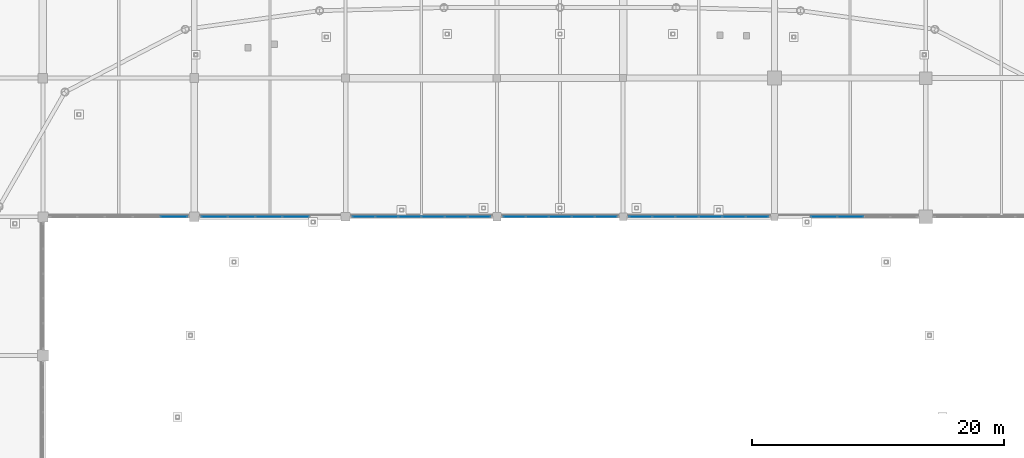
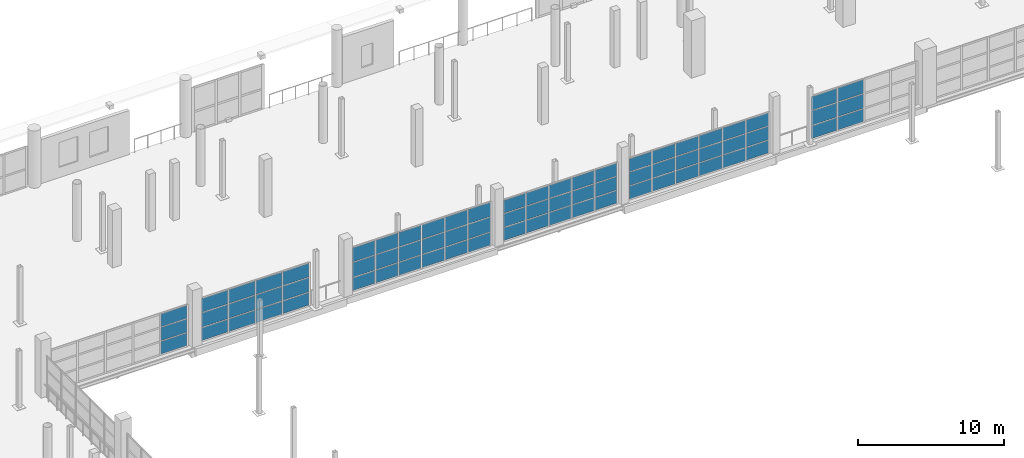
# One storey, part 79 of 143: 72 plates, 6 elements without a shape of their own.
"""IFC4 building model written with IfcOpenShell, lengths in metres."""

from ifc_helpers import new_model, si_unit, direction, frame, origin, origin_2d, place, context, subcontext, project, spatial, rectangle, extrude, material, layer, layer_set, type_object, element, aggregate, save


model = new_model("IFC4")

# Units and contexts
model_context = context("Model", 3, precision=1e-05, world=origin(), true_north=direction((0.0, 1.0)))
body_context = subcontext(model_context, "Body", "Model", "MODEL_VIEW")
ifc_project = project(units=[si_unit("LENGTHUNIT", "METRE"), si_unit("AREAUNIT", "SQUARE_METRE"), si_unit("VOLUMEUNIT", "CUBIC_METRE"), si_unit("PLANEANGLEUNIT", "RADIAN"), si_unit("MASSUNIT", "GRAM", prefix="KILO")], contexts=[model_context])

# Site, building, storey
site_placement = place(None, origin())
site = spatial("IfcSite", under=ifc_project, at=site_placement, CompositionType="ELEMENT")
building_placement = place(site_placement, origin())
building = spatial("IfcBuilding", under=site, at=building_placement, Name="Luwafu Chhajja Arena", CompositionType="ELEMENT")
storey_placement = place(building_placement, frame((0.0, 0.0, 5.39990234375)))
storey = spatial("IfcBuildingStorey", under=building, at=storey_placement, Name="L01", CompositionType="ELEMENT", Elevation=5.39990234375)

# Curtain wall, plates
ifc_material_1 = material(Name="Anodised bronze aluminium", Category="aluminium")
curtain_wall_type = type_object("IfcCurtainWallType", Name="Bowl Concourse Chord Curtain Wall", PredefinedType="USERDEFINED", material=ifc_material_1)
curtain_wall_1_placement = place(storey_placement, origin())
curtain_wall_1 = element("IfcCurtainWall", 1, at=curtain_wall_1_placement, inside=storey, type_object=curtain_wall_type, Name="L01 Bowl Viewing Curtain Wall CWR-L01-08", ObjectType="CURTAIN WALL", PredefinedType="USERDEFINED")
ifc_material_2 = material(Name="Solar-control laminated glass", Category="glass")
ifc_layer = layer(ifc_material_2, 0.028076171875, Name="Solar-control laminated glass")
ifc_layer_set = layer_set([ifc_layer], Name="Solar-control laminated glass")
plate_type = type_object("IfcPlateType", Name="Solar Control Double Glazed CW Panel 28", PredefinedType="CURTAIN_PANEL", material=ifc_layer_set)
plate_1_placement = place(storey_placement, frame((68.37548828125, 77.0, 0.06005859375), z_axis=(0.0, 0.0, 1.0), x_axis=(1.0, 0.0, 0.0)))
plate_1 = element("IfcPlate", 2, at=plate_1_placement, type_object=plate_type, Name="CW-01 panel 5.1", PredefinedType="CURTAIN_PANEL", context=body_context, shape_type="SweptSolid", body=[
    extrude(rectangle(XDim=2.09912109375, YDim=0.028076171875, at=origin_2d()), origin(), (0.0, 0.0, 1.0), 1.06005859375),
])
plate_2_placement = place(storey_placement, frame((68.37548828125, 77.0, 1.18017578125), z_axis=(0.0, 0.0, 1.0), x_axis=(1.0, 0.0, 0.0)))
plate_2 = element("IfcPlate", 3, at=plate_2_placement, type_object=plate_type, Name="CW-01 panel 5.2", PredefinedType="CURTAIN_PANEL", context=body_context, shape_type="SweptSolid", body=[
    extrude(rectangle(XDim=2.09912109375, YDim=0.028076171875, at=origin_2d()), origin(), (0.0, 0.0, 1.0), 1.110107421875),
])
plate_3_placement = place(storey_placement, frame((68.37548828125, 77.0, 2.35009765625), z_axis=(0.0, 0.0, 1.0), x_axis=(1.0, 0.0, 0.0)))
plate_3 = element("IfcPlate", 4, at=plate_3_placement, type_object=plate_type, Name="CW-01 panel 5.3", PredefinedType="CURTAIN_PANEL", context=body_context, shape_type="SweptSolid", body=[
    extrude(rectangle(XDim=2.09912109375, YDim=0.028076171875, at=origin_2d()), origin(), (0.0, 0.0, 1.0), 1.080078125),
])
aggregate(curtain_wall_1, [plate_1, plate_2, plate_3])

curtain_wall_2_placement = place(storey_placement, origin())
curtain_wall_2 = element("IfcCurtainWall", 5, at=curtain_wall_2_placement, inside=storey, type_object=curtain_wall_type, Name="L01 Bowl Viewing Curtain Wall CWR-L01-09", ObjectType="CURTAIN WALL", PredefinedType="USERDEFINED")
plate_4_placement = place(storey_placement, frame((71.607421875, 77.0, 0.06005859375), z_axis=(0.0, 0.0, 1.0), x_axis=(1.0, 0.0, 0.0)))
plate_4 = element("IfcPlate", 6, at=plate_4_placement, type_object=plate_type, Name="CW-01 panel 1.1", PredefinedType="CURTAIN_PANEL", context=body_context, shape_type="SweptSolid", body=[
    extrude(rectangle(XDim=2.064697265625, YDim=0.028076171875, at=origin_2d()), origin(), (0.0, 0.0, 1.0), 1.06005859375),
])
plate_5_placement = place(storey_placement, frame((71.607421875, 77.0, 1.18017578125), z_axis=(0.0, 0.0, 1.0), x_axis=(1.0, 0.0, 0.0)))
plate_5 = element("IfcPlate", 7, at=plate_5_placement, type_object=plate_type, Name="CW-01 panel 1.2", PredefinedType="CURTAIN_PANEL", context=body_context, shape_type="SweptSolid", body=[
    extrude(rectangle(XDim=2.064697265625, YDim=0.028076171875, at=origin_2d()), origin(), (0.0, 0.0, 1.0), 1.18505859375),
])
plate_6_placement = place(storey_placement, frame((71.607421875, 77.0, 2.42529296875), z_axis=(0.0, 0.0, 1.0), x_axis=(1.0, 0.0, 0.0)))
plate_6 = element("IfcPlate", 8, at=plate_6_placement, type_object=plate_type, Name="CW-01 panel 1.3", PredefinedType="CURTAIN_PANEL", context=body_context, shape_type="SweptSolid", body=[
    extrude(rectangle(XDim=2.064697265625, YDim=0.028076171875, at=origin_2d()), origin(), (0.0, 0.0, 1.0), 1.155029296875),
])
plate_7_placement = place(storey_placement, frame((73.746826171875, 77.0, 0.06005859375), z_axis=(0.0, 0.0, 1.0), x_axis=(1.0, 0.0, 0.0)))
plate_7 = element("IfcPlate", 9, at=plate_7_placement, type_object=plate_type, Name="CW-01 panel 2.1", PredefinedType="CURTAIN_PANEL", context=body_context, shape_type="SweptSolid", body=[
    extrude(rectangle(XDim=2.094482421875, YDim=0.028076171875, at=origin_2d()), origin(), (0.0, 0.0, 1.0), 1.06005859375),
])
plate_8_placement = place(storey_placement, frame((73.746826171875, 77.0, 1.18017578125), z_axis=(0.0, 0.0, 1.0), x_axis=(1.0, 0.0, 0.0)))
plate_8 = element("IfcPlate", 10, at=plate_8_placement, type_object=plate_type, Name="CW-01 panel 2.2", PredefinedType="CURTAIN_PANEL", context=body_context, shape_type="SweptSolid", body=[
    extrude(rectangle(XDim=2.094482421875, YDim=0.028076171875, at=origin_2d()), origin(), (0.0, 0.0, 1.0), 1.18505859375),
])
plate_9_placement = place(storey_placement, frame((73.746826171875, 77.0, 2.42529296875), z_axis=(0.0, 0.0, 1.0), x_axis=(1.0, 0.0, 0.0)))
plate_9 = element("IfcPlate", 11, at=plate_9_placement, type_object=plate_type, Name="CW-01 panel 2.3", PredefinedType="CURTAIN_PANEL", context=body_context, shape_type="SweptSolid", body=[
    extrude(rectangle(XDim=2.094482421875, YDim=0.028076171875, at=origin_2d()), origin(), (0.0, 0.0, 1.0), 1.155029296875),
])
plate_10_placement = place(storey_placement, frame((75.901611328125, 77.0, 0.06005859375), z_axis=(0.0, 0.0, 1.0), x_axis=(1.0, 0.0, 0.0)))
plate_10 = element("IfcPlate", 12, at=plate_10_placement, type_object=plate_type, Name="CW-01 panel 3.1", PredefinedType="CURTAIN_PANEL", context=body_context, shape_type="SweptSolid", body=[
    extrude(rectangle(XDim=2.094482421875, YDim=0.028076171875, at=origin_2d()), origin(), (0.0, 0.0, 1.0), 1.06005859375),
])
plate_11_placement = place(storey_placement, frame((75.901611328125, 77.0, 1.18017578125), z_axis=(0.0, 0.0, 1.0), x_axis=(1.0, 0.0, 0.0)))
plate_11 = element("IfcPlate", 13, at=plate_11_placement, type_object=plate_type, Name="CW-01 panel 3.2", PredefinedType="CURTAIN_PANEL", context=body_context, shape_type="SweptSolid", body=[
    extrude(rectangle(XDim=2.094482421875, YDim=0.028076171875, at=origin_2d()), origin(), (0.0, 0.0, 1.0), 1.18505859375),
])
plate_12_placement = place(storey_placement, frame((75.901611328125, 77.0, 2.42529296875), z_axis=(0.0, 0.0, 1.0), x_axis=(1.0, 0.0, 0.0)))
plate_12 = element("IfcPlate", 14, at=plate_12_placement, type_object=plate_type, Name="CW-01 panel 3.3", PredefinedType="CURTAIN_PANEL", context=body_context, shape_type="SweptSolid", body=[
    extrude(rectangle(XDim=2.094482421875, YDim=0.028076171875, at=origin_2d()), origin(), (0.0, 0.0, 1.0), 1.155029296875),
])
plate_13_placement = place(storey_placement, frame((78.041015625, 77.0, 0.06005859375), z_axis=(0.0, 0.0, 1.0), x_axis=(1.0, 0.0, 0.0)))
plate_13 = element("IfcPlate", 15, at=plate_13_placement, type_object=plate_type, Name="CW-01 panel 4.1", PredefinedType="CURTAIN_PANEL", context=body_context, shape_type="SweptSolid", body=[
    extrude(rectangle(XDim=2.064697265625, YDim=0.028076171875, at=origin_2d()), origin(), (0.0, 0.0, 1.0), 1.06005859375),
])
plate_14_placement = place(storey_placement, frame((78.041015625, 77.0, 1.18017578125), z_axis=(0.0, 0.0, 1.0), x_axis=(1.0, 0.0, 0.0)))
plate_14 = element("IfcPlate", 16, at=plate_14_placement, type_object=plate_type, Name="CW-01 panel 4.2", PredefinedType="CURTAIN_PANEL", context=body_context, shape_type="SweptSolid", body=[
    extrude(rectangle(XDim=2.064697265625, YDim=0.028076171875, at=origin_2d()), origin(), (0.0, 0.0, 1.0), 1.18505859375),
])
plate_15_placement = place(storey_placement, frame((78.041015625, 77.0, 2.42529296875), z_axis=(0.0, 0.0, 1.0), x_axis=(1.0, 0.0, 0.0)))
plate_15 = element("IfcPlate", 17, at=plate_15_placement, type_object=plate_type, Name="CW-01 panel 4.3", PredefinedType="CURTAIN_PANEL", context=body_context, shape_type="SweptSolid", body=[
    extrude(rectangle(XDim=2.064697265625, YDim=0.028076171875, at=origin_2d()), origin(), (0.0, 0.0, 1.0), 1.155029296875),
])
aggregate(curtain_wall_2, [plate_4, plate_5, plate_6, plate_7, plate_8, plate_9, plate_10, plate_11, plate_12, plate_13, plate_14, plate_15])

curtain_wall_3_placement = place(storey_placement, origin())
curtain_wall_3 = element("IfcCurtainWall", 18, at=curtain_wall_3_placement, inside=storey, type_object=curtain_wall_type, Name="L01 Bowl Viewing Curtain Wall CWR-L01-10", ObjectType="CURTAIN WALL", PredefinedType="USERDEFINED")
plate_16_placement = place(storey_placement, frame((83.425537109375, 77.0, 0.06005859375), z_axis=(0.0, 0.0, 1.0), x_axis=(1.0, 0.0, 0.0)))
plate_16 = element("IfcPlate", 19, at=plate_16_placement, type_object=plate_type, Name="CW-01 panel 1.1", PredefinedType="CURTAIN_PANEL", context=body_context, shape_type="SweptSolid", body=[
    extrude(rectangle(XDim=1.750732421875, YDim=0.028076171875, at=origin_2d()), origin(), (0.0, 0.0, 1.0), 1.06005859375),
])
plate_17_placement = place(storey_placement, frame((83.425537109375, 77.0, 1.18017578125), z_axis=(0.0, 0.0, 1.0), x_axis=(1.0, 0.0, 0.0)))
plate_17 = element("IfcPlate", 20, at=plate_17_placement, type_object=plate_type, Name="CW-01 panel 1.2", PredefinedType="CURTAIN_PANEL", context=body_context, shape_type="SweptSolid", body=[
    extrude(rectangle(XDim=1.750732421875, YDim=0.028076171875, at=origin_2d()), origin(), (0.0, 0.0, 1.0), 1.21826171875),
])
plate_18_placement = place(storey_placement, frame((83.425537109375, 77.0, 2.45849609375), z_axis=(0.0, 0.0, 1.0), x_axis=(1.0, 0.0, 0.0)))
plate_18 = element("IfcPlate", 21, at=plate_18_placement, type_object=plate_type, Name="CW-01 panel 1.3", PredefinedType="CURTAIN_PANEL", context=body_context, shape_type="SweptSolid", body=[
    extrude(rectangle(XDim=1.750732421875, YDim=0.028076171875, at=origin_2d()), origin(), (0.0, 0.0, 1.0), 1.188232421875),
])
plate_19_placement = place(storey_placement, frame((85.251220703125, 77.0, 0.06005859375), z_axis=(0.0, 0.0, 1.0), x_axis=(1.0, 0.0, 0.0)))
plate_19 = element("IfcPlate", 22, at=plate_19_placement, type_object=plate_type, Name="CW-01 panel 2.1", PredefinedType="CURTAIN_PANEL", context=body_context, shape_type="SweptSolid", body=[
    extrude(rectangle(XDim=1.78076171875, YDim=0.028076171875, at=origin_2d()), origin(), (0.0, 0.0, 1.0), 1.06005859375),
])
plate_20_placement = place(storey_placement, frame((85.251220703125, 77.0, 1.18017578125), z_axis=(0.0, 0.0, 1.0), x_axis=(1.0, 0.0, 0.0)))
plate_20 = element("IfcPlate", 23, at=plate_20_placement, type_object=plate_type, Name="CW-01 panel 2.2", PredefinedType="CURTAIN_PANEL", context=body_context, shape_type="SweptSolid", body=[
    extrude(rectangle(XDim=1.78076171875, YDim=0.028076171875, at=origin_2d()), origin(), (0.0, 0.0, 1.0), 1.21826171875),
])
plate_21_placement = place(storey_placement, frame((85.251220703125, 77.0, 2.45849609375), z_axis=(0.0, 0.0, 1.0), x_axis=(1.0, 0.0, 0.0)))
plate_21 = element("IfcPlate", 24, at=plate_21_placement, type_object=plate_type, Name="CW-01 panel 2.3", PredefinedType="CURTAIN_PANEL", context=body_context, shape_type="SweptSolid", body=[
    extrude(rectangle(XDim=1.78076171875, YDim=0.028076171875, at=origin_2d()), origin(), (0.0, 0.0, 1.0), 1.188232421875),
])
plate_22_placement = place(storey_placement, frame((87.092041015625, 77.0, 0.06005859375), z_axis=(0.0, 0.0, 1.0), x_axis=(1.0, 0.0, 0.0)))
plate_22 = element("IfcPlate", 25, at=plate_22_placement, type_object=plate_type, Name="CW-01 panel 3.1", PredefinedType="CURTAIN_PANEL", context=body_context, shape_type="SweptSolid", body=[
    extrude(rectangle(XDim=1.78076171875, YDim=0.028076171875, at=origin_2d()), origin(), (0.0, 0.0, 1.0), 1.06005859375),
])
plate_23_placement = place(storey_placement, frame((87.092041015625, 77.0, 1.18017578125), z_axis=(0.0, 0.0, 1.0), x_axis=(1.0, 0.0, 0.0)))
plate_23 = element("IfcPlate", 26, at=plate_23_placement, type_object=plate_type, Name="CW-01 panel 3.2", PredefinedType="CURTAIN_PANEL", context=body_context, shape_type="SweptSolid", body=[
    extrude(rectangle(XDim=1.78076171875, YDim=0.028076171875, at=origin_2d()), origin(), (0.0, 0.0, 1.0), 1.21826171875),
])
plate_24_placement = place(storey_placement, frame((87.092041015625, 77.0, 2.45849609375), z_axis=(0.0, 0.0, 1.0), x_axis=(1.0, 0.0, 0.0)))
plate_24 = element("IfcPlate", 27, at=plate_24_placement, type_object=plate_type, Name="CW-01 panel 3.3", PredefinedType="CURTAIN_PANEL", context=body_context, shape_type="SweptSolid", body=[
    extrude(rectangle(XDim=1.78076171875, YDim=0.028076171875, at=origin_2d()), origin(), (0.0, 0.0, 1.0), 1.188232421875),
])
plate_25_placement = place(storey_placement, frame((88.932861328125, 77.0, 0.06005859375), z_axis=(0.0, 0.0, 1.0), x_axis=(1.0, 0.0, 0.0)))
plate_25 = element("IfcPlate", 28, at=plate_25_placement, type_object=plate_type, Name="CW-01 panel 4.1", PredefinedType="CURTAIN_PANEL", context=body_context, shape_type="SweptSolid", body=[
    extrude(rectangle(XDim=1.78076171875, YDim=0.028076171875, at=origin_2d()), origin(), (0.0, 0.0, 1.0), 1.06005859375),
])
plate_26_placement = place(storey_placement, frame((88.932861328125, 77.0, 1.18017578125), z_axis=(0.0, 0.0, 1.0), x_axis=(1.0, 0.0, 0.0)))
plate_26 = element("IfcPlate", 29, at=plate_26_placement, type_object=plate_type, Name="CW-01 panel 4.2", PredefinedType="CURTAIN_PANEL", context=body_context, shape_type="SweptSolid", body=[
    extrude(rectangle(XDim=1.78076171875, YDim=0.028076171875, at=origin_2d()), origin(), (0.0, 0.0, 1.0), 1.21826171875),
])
plate_27_placement = place(storey_placement, frame((88.932861328125, 77.0, 2.45849609375), z_axis=(0.0, 0.0, 1.0), x_axis=(1.0, 0.0, 0.0)))
plate_27 = element("IfcPlate", 30, at=plate_27_placement, type_object=plate_type, Name="CW-01 panel 4.3", PredefinedType="CURTAIN_PANEL", context=body_context, shape_type="SweptSolid", body=[
    extrude(rectangle(XDim=1.78076171875, YDim=0.028076171875, at=origin_2d()), origin(), (0.0, 0.0, 1.0), 1.188232421875),
])
plate_28_placement = place(storey_placement, frame((90.773681640625, 77.0, 0.06005859375), z_axis=(0.0, 0.0, 1.0), x_axis=(1.0, 0.0, 0.0)))
plate_28 = element("IfcPlate", 31, at=plate_28_placement, type_object=plate_type, Name="CW-01 panel 5.1", PredefinedType="CURTAIN_PANEL", context=body_context, shape_type="SweptSolid", body=[
    extrude(rectangle(XDim=1.78076171875, YDim=0.028076171875, at=origin_2d()), origin(), (0.0, 0.0, 1.0), 1.06005859375),
])
plate_29_placement = place(storey_placement, frame((90.773681640625, 77.0, 1.18017578125), z_axis=(0.0, 0.0, 1.0), x_axis=(1.0, 0.0, 0.0)))
plate_29 = element("IfcPlate", 32, at=plate_29_placement, type_object=plate_type, Name="CW-01 panel 5.2", PredefinedType="CURTAIN_PANEL", context=body_context, shape_type="SweptSolid", body=[
    extrude(rectangle(XDim=1.78076171875, YDim=0.028076171875, at=origin_2d()), origin(), (0.0, 0.0, 1.0), 1.21826171875),
])
plate_30_placement = place(storey_placement, frame((90.773681640625, 77.0, 2.45849609375), z_axis=(0.0, 0.0, 1.0), x_axis=(1.0, 0.0, 0.0)))
plate_30 = element("IfcPlate", 33, at=plate_30_placement, type_object=plate_type, Name="CW-01 panel 5.3", PredefinedType="CURTAIN_PANEL", context=body_context, shape_type="SweptSolid", body=[
    extrude(rectangle(XDim=1.78076171875, YDim=0.028076171875, at=origin_2d()), origin(), (0.0, 0.0, 1.0), 1.188232421875),
])
plate_31_placement = place(storey_placement, frame((92.599609375, 77.0, 0.06005859375), z_axis=(0.0, 0.0, 1.0), x_axis=(1.0, 0.0, 0.0)))
plate_31 = element("IfcPlate", 34, at=plate_31_placement, type_object=plate_type, Name="CW-01 panel 6.1", PredefinedType="CURTAIN_PANEL", context=body_context, shape_type="SweptSolid", body=[
    extrude(rectangle(XDim=1.750732421875, YDim=0.028076171875, at=origin_2d()), origin(), (0.0, 0.0, 1.0), 1.06005859375),
])
plate_32_placement = place(storey_placement, frame((92.599609375, 77.0, 1.18017578125), z_axis=(0.0, 0.0, 1.0), x_axis=(1.0, 0.0, 0.0)))
plate_32 = element("IfcPlate", 35, at=plate_32_placement, type_object=plate_type, Name="CW-01 panel 6.2", PredefinedType="CURTAIN_PANEL", context=body_context, shape_type="SweptSolid", body=[
    extrude(rectangle(XDim=1.750732421875, YDim=0.028076171875, at=origin_2d()), origin(), (0.0, 0.0, 1.0), 1.21826171875),
])
plate_33_placement = place(storey_placement, frame((92.599609375, 77.0, 2.45849609375), z_axis=(0.0, 0.0, 1.0), x_axis=(1.0, 0.0, 0.0)))
plate_33 = element("IfcPlate", 36, at=plate_33_placement, type_object=plate_type, Name="CW-01 panel 6.3", PredefinedType="CURTAIN_PANEL", context=body_context, shape_type="SweptSolid", body=[
    extrude(rectangle(XDim=1.750732421875, YDim=0.028076171875, at=origin_2d()), origin(), (0.0, 0.0, 1.0), 1.188232421875),
])
aggregate(curtain_wall_3, [plate_16, plate_17, plate_18, plate_19, plate_20, plate_21, plate_22, plate_23, plate_24, plate_25, plate_26, plate_27, plate_28, plate_29, plate_30, plate_31, plate_32, plate_33])

curtain_wall_4_placement = place(storey_placement, origin())
curtain_wall_4 = element("IfcCurtainWall", 37, at=curtain_wall_4_placement, inside=storey, type_object=curtain_wall_type, Name="L01 Bowl Viewing Curtain Wall CWR-L01-11", ObjectType="CURTAIN WALL", PredefinedType="USERDEFINED")
plate_34_placement = place(storey_placement, frame((95.389404296875, 77.0, 0.06005859375), z_axis=(0.0, 0.0, 1.0), x_axis=(1.0, 0.0, 0.0)))
plate_34 = element("IfcPlate", 38, at=plate_34_placement, type_object=plate_type, Name="CW-01 panel 1.1", PredefinedType="CURTAIN_PANEL", context=body_context, shape_type="SweptSolid", body=[
    extrude(rectangle(XDim=1.72900390625, YDim=0.028076171875, at=origin_2d()), origin(), (0.0, 0.0, 1.0), 1.06005859375),
])
plate_35_placement = place(storey_placement, frame((95.389404296875, 77.0, 1.18017578125), z_axis=(0.0, 0.0, 1.0), x_axis=(1.0, 0.0, 0.0)))
plate_35 = element("IfcPlate", 39, at=plate_35_placement, type_object=plate_type, Name="CW-01 panel 1.2", PredefinedType="CURTAIN_PANEL", context=body_context, shape_type="SweptSolid", body=[
    extrude(rectangle(XDim=1.72900390625, YDim=0.028076171875, at=origin_2d()), origin(), (0.0, 0.0, 1.0), 1.110107421875),
])
plate_36_placement = place(storey_placement, frame((95.389404296875, 77.0, 2.35009765625), z_axis=(0.0, 0.0, 1.0), x_axis=(1.0, 0.0, 0.0)))
plate_36 = element("IfcPlate", 40, at=plate_36_placement, type_object=plate_type, Name="CW-01 panel 1.3", PredefinedType="CURTAIN_PANEL", context=body_context, shape_type="SweptSolid", body=[
    extrude(rectangle(XDim=1.72900390625, YDim=0.028076171875, at=origin_2d()), origin(), (0.0, 0.0, 1.0), 1.080078125),
])
plate_37_placement = place(storey_placement, frame((97.193603515625, 77.0, 0.06005859375), z_axis=(0.0, 0.0, 1.0), x_axis=(1.0, 0.0, 0.0)))
plate_37 = element("IfcPlate", 41, at=plate_37_placement, type_object=plate_type, Name="CW-01 panel 2.1", PredefinedType="CURTAIN_PANEL", context=body_context, shape_type="SweptSolid", body=[
    extrude(rectangle(XDim=1.759033203125, YDim=0.028076171875, at=origin_2d()), origin(), (0.0, 0.0, 1.0), 1.06005859375),
])
plate_38_placement = place(storey_placement, frame((97.193603515625, 77.0, 1.18017578125), z_axis=(0.0, 0.0, 1.0), x_axis=(1.0, 0.0, 0.0)))
plate_38 = element("IfcPlate", 42, at=plate_38_placement, type_object=plate_type, Name="CW-01 panel 2.2", PredefinedType="CURTAIN_PANEL", context=body_context, shape_type="SweptSolid", body=[
    extrude(rectangle(XDim=1.759033203125, YDim=0.028076171875, at=origin_2d()), origin(), (0.0, 0.0, 1.0), 1.110107421875),
])
plate_39_placement = place(storey_placement, frame((97.193603515625, 77.0, 2.35009765625), z_axis=(0.0, 0.0, 1.0), x_axis=(1.0, 0.0, 0.0)))
plate_39 = element("IfcPlate", 43, at=plate_39_placement, type_object=plate_type, Name="CW-01 panel 2.3", PredefinedType="CURTAIN_PANEL", context=body_context, shape_type="SweptSolid", body=[
    extrude(rectangle(XDim=1.759033203125, YDim=0.028076171875, at=origin_2d()), origin(), (0.0, 0.0, 1.0), 1.080078125),
])
plate_40_placement = place(storey_placement, frame((99.012451171875, 77.0, 0.06005859375), z_axis=(0.0, 0.0, 1.0), x_axis=(1.0, 0.0, 0.0)))
plate_40 = element("IfcPlate", 44, at=plate_40_placement, type_object=plate_type, Name="CW-01 panel 3.1", PredefinedType="CURTAIN_PANEL", context=body_context, shape_type="SweptSolid", body=[
    extrude(rectangle(XDim=1.759033203125, YDim=0.028076171875, at=origin_2d()), origin(), (0.0, 0.0, 1.0), 1.06005859375),
])
plate_41_placement = place(storey_placement, frame((99.012451171875, 77.0, 1.18017578125), z_axis=(0.0, 0.0, 1.0), x_axis=(1.0, 0.0, 0.0)))
plate_41 = element("IfcPlate", 45, at=plate_41_placement, type_object=plate_type, Name="CW-01 panel 3.2", PredefinedType="CURTAIN_PANEL", context=body_context, shape_type="SweptSolid", body=[
    extrude(rectangle(XDim=1.759033203125, YDim=0.028076171875, at=origin_2d()), origin(), (0.0, 0.0, 1.0), 1.110107421875),
])
plate_42_placement = place(storey_placement, frame((99.012451171875, 77.0, 2.35009765625), z_axis=(0.0, 0.0, 1.0), x_axis=(1.0, 0.0, 0.0)))
plate_42 = element("IfcPlate", 46, at=plate_42_placement, type_object=plate_type, Name="CW-01 panel 3.3", PredefinedType="CURTAIN_PANEL", context=body_context, shape_type="SweptSolid", body=[
    extrude(rectangle(XDim=1.759033203125, YDim=0.028076171875, at=origin_2d()), origin(), (0.0, 0.0, 1.0), 1.080078125),
])
plate_43_placement = place(storey_placement, frame((100.83154296875, 77.0, 0.06005859375), z_axis=(0.0, 0.0, 1.0), x_axis=(1.0, 0.0, 0.0)))
plate_43 = element("IfcPlate", 47, at=plate_43_placement, type_object=plate_type, Name="CW-01 panel 4.1", PredefinedType="CURTAIN_PANEL", context=body_context, shape_type="SweptSolid", body=[
    extrude(rectangle(XDim=1.759033203125, YDim=0.028076171875, at=origin_2d()), origin(), (0.0, 0.0, 1.0), 1.06005859375),
])
plate_44_placement = place(storey_placement, frame((100.83154296875, 77.0, 1.18017578125), z_axis=(0.0, 0.0, 1.0), x_axis=(1.0, 0.0, 0.0)))
plate_44 = element("IfcPlate", 48, at=plate_44_placement, type_object=plate_type, Name="CW-01 panel 4.2", PredefinedType="CURTAIN_PANEL", context=body_context, shape_type="SweptSolid", body=[
    extrude(rectangle(XDim=1.759033203125, YDim=0.028076171875, at=origin_2d()), origin(), (0.0, 0.0, 1.0), 1.110107421875),
])
plate_45_placement = place(storey_placement, frame((100.83154296875, 77.0, 2.35009765625), z_axis=(0.0, 0.0, 1.0), x_axis=(1.0, 0.0, 0.0)))
plate_45 = element("IfcPlate", 49, at=plate_45_placement, type_object=plate_type, Name="CW-01 panel 4.3", PredefinedType="CURTAIN_PANEL", context=body_context, shape_type="SweptSolid", body=[
    extrude(rectangle(XDim=1.759033203125, YDim=0.028076171875, at=origin_2d()), origin(), (0.0, 0.0, 1.0), 1.080078125),
])
plate_46_placement = place(storey_placement, frame((102.635498046875, 77.0, 0.06005859375), z_axis=(0.0, 0.0, 1.0), x_axis=(1.0, 0.0, 0.0)))
plate_46 = element("IfcPlate", 50, at=plate_46_placement, type_object=plate_type, Name="CW-01 panel 5.1", PredefinedType="CURTAIN_PANEL", context=body_context, shape_type="SweptSolid", body=[
    extrude(rectangle(XDim=1.72900390625, YDim=0.028076171875, at=origin_2d()), origin(), (0.0, 0.0, 1.0), 1.06005859375),
])
plate_47_placement = place(storey_placement, frame((102.635498046875, 77.0, 1.18017578125), z_axis=(0.0, 0.0, 1.0), x_axis=(1.0, 0.0, 0.0)))
plate_47 = element("IfcPlate", 51, at=plate_47_placement, type_object=plate_type, Name="CW-01 panel 5.2", PredefinedType="CURTAIN_PANEL", context=body_context, shape_type="SweptSolid", body=[
    extrude(rectangle(XDim=1.72900390625, YDim=0.028076171875, at=origin_2d()), origin(), (0.0, 0.0, 1.0), 1.110107421875),
])
plate_48_placement = place(storey_placement, frame((102.635498046875, 77.0, 2.35009765625), z_axis=(0.0, 0.0, 1.0), x_axis=(1.0, 0.0, 0.0)))
plate_48 = element("IfcPlate", 52, at=plate_48_placement, type_object=plate_type, Name="CW-01 panel 5.3", PredefinedType="CURTAIN_PANEL", context=body_context, shape_type="SweptSolid", body=[
    extrude(rectangle(XDim=1.72900390625, YDim=0.028076171875, at=origin_2d()), origin(), (0.0, 0.0, 1.0), 1.080078125),
])
aggregate(curtain_wall_4, [plate_34, plate_35, plate_36, plate_37, plate_38, plate_39, plate_40, plate_41, plate_42, plate_43, plate_44, plate_45, plate_46, plate_47, plate_48])

curtain_wall_5_placement = place(storey_placement, origin())
curtain_wall_5 = element("IfcCurtainWall", 53, at=curtain_wall_5_placement, inside=storey, type_object=curtain_wall_type, Name="L01 Bowl Viewing Curtain Wall CWR-L01-12", ObjectType="CURTAIN WALL", PredefinedType="USERDEFINED")
plate_49_placement = place(storey_placement, frame((105.3837890625, 77.0, 0.06005859375), z_axis=(0.0, 0.0, 1.0), x_axis=(1.0, 0.0, 0.0)))
plate_49 = element("IfcPlate", 54, at=plate_49_placement, type_object=plate_type, Name="CW-01 panel 1.1", PredefinedType="CURTAIN_PANEL", context=body_context, shape_type="SweptSolid", body=[
    extrude(rectangle(XDim=1.767578125, YDim=0.028076171875, at=origin_2d()), origin(), (0.0, 0.0, 1.0), 1.06005859375),
])
plate_50_placement = place(storey_placement, frame((105.3837890625, 77.0, 1.18017578125), z_axis=(0.0, 0.0, 1.0), x_axis=(1.0, 0.0, 0.0)))
plate_50 = element("IfcPlate", 55, at=plate_50_placement, type_object=plate_type, Name="CW-01 panel 1.2", PredefinedType="CURTAIN_PANEL", context=body_context, shape_type="SweptSolid", body=[
    extrude(rectangle(XDim=1.767578125, YDim=0.028076171875, at=origin_2d()), origin(), (0.0, 0.0, 1.0), 1.110107421875),
])
plate_51_placement = place(storey_placement, frame((105.3837890625, 77.0, 2.35009765625), z_axis=(0.0, 0.0, 1.0), x_axis=(1.0, 0.0, 0.0)))
plate_51 = element("IfcPlate", 56, at=plate_51_placement, type_object=plate_type, Name="CW-01 panel 1.3", PredefinedType="CURTAIN_PANEL", context=body_context, shape_type="SweptSolid", body=[
    extrude(rectangle(XDim=1.767578125, YDim=0.028076171875, at=origin_2d()), origin(), (0.0, 0.0, 1.0), 1.080078125),
])
plate_52_placement = place(storey_placement, frame((107.226318359375, 77.0, 0.06005859375), z_axis=(0.0, 0.0, 1.0), x_axis=(1.0, 0.0, 0.0)))
plate_52 = element("IfcPlate", 57, at=plate_52_placement, type_object=plate_type, Name="CW-01 panel 2.1", PredefinedType="CURTAIN_PANEL", context=body_context, shape_type="SweptSolid", body=[
    extrude(rectangle(XDim=1.797607421875, YDim=0.028076171875, at=origin_2d()), origin(), (0.0, 0.0, 1.0), 1.06005859375),
])
plate_53_placement = place(storey_placement, frame((107.226318359375, 77.0, 1.18017578125), z_axis=(0.0, 0.0, 1.0), x_axis=(1.0, 0.0, 0.0)))
plate_53 = element("IfcPlate", 58, at=plate_53_placement, type_object=plate_type, Name="CW-01 panel 2.2", PredefinedType="CURTAIN_PANEL", context=body_context, shape_type="SweptSolid", body=[
    extrude(rectangle(XDim=1.797607421875, YDim=0.028076171875, at=origin_2d()), origin(), (0.0, 0.0, 1.0), 1.110107421875),
])
plate_54_placement = place(storey_placement, frame((107.226318359375, 77.0, 2.35009765625), z_axis=(0.0, 0.0, 1.0), x_axis=(1.0, 0.0, 0.0)))
plate_54 = element("IfcPlate", 59, at=plate_54_placement, type_object=plate_type, Name="CW-01 panel 2.3", PredefinedType="CURTAIN_PANEL", context=body_context, shape_type="SweptSolid", body=[
    extrude(rectangle(XDim=1.797607421875, YDim=0.028076171875, at=origin_2d()), origin(), (0.0, 0.0, 1.0), 1.080078125),
])
plate_55_placement = place(storey_placement, frame((109.083740234375, 77.0, 0.06005859375), z_axis=(0.0, 0.0, 1.0), x_axis=(1.0, 0.0, 0.0)))
plate_55 = element("IfcPlate", 60, at=plate_55_placement, type_object=plate_type, Name="CW-01 panel 3.1", PredefinedType="CURTAIN_PANEL", context=body_context, shape_type="SweptSolid", body=[
    extrude(rectangle(XDim=1.797607421875, YDim=0.028076171875, at=origin_2d()), origin(), (0.0, 0.0, 1.0), 1.06005859375),
])
plate_56_placement = place(storey_placement, frame((109.083740234375, 77.0, 1.18017578125), z_axis=(0.0, 0.0, 1.0), x_axis=(1.0, 0.0, 0.0)))
plate_56 = element("IfcPlate", 61, at=plate_56_placement, type_object=plate_type, Name="CW-01 panel 3.2", PredefinedType="CURTAIN_PANEL", context=body_context, shape_type="SweptSolid", body=[
    extrude(rectangle(XDim=1.797607421875, YDim=0.028076171875, at=origin_2d()), origin(), (0.0, 0.0, 1.0), 1.110107421875),
])
plate_57_placement = place(storey_placement, frame((109.083740234375, 77.0, 2.35009765625), z_axis=(0.0, 0.0, 1.0), x_axis=(1.0, 0.0, 0.0)))
plate_57 = element("IfcPlate", 62, at=plate_57_placement, type_object=plate_type, Name="CW-01 panel 3.3", PredefinedType="CURTAIN_PANEL", context=body_context, shape_type="SweptSolid", body=[
    extrude(rectangle(XDim=1.797607421875, YDim=0.028076171875, at=origin_2d()), origin(), (0.0, 0.0, 1.0), 1.080078125),
])
plate_58_placement = place(storey_placement, frame((110.941162109375, 77.0, 0.06005859375), z_axis=(0.0, 0.0, 1.0), x_axis=(1.0, 0.0, 0.0)))
plate_58 = element("IfcPlate", 63, at=plate_58_placement, type_object=plate_type, Name="CW-01 panel 4.1", PredefinedType="CURTAIN_PANEL", context=body_context, shape_type="SweptSolid", body=[
    extrude(rectangle(XDim=1.797607421875, YDim=0.028076171875, at=origin_2d()), origin(), (0.0, 0.0, 1.0), 1.06005859375),
])
plate_59_placement = place(storey_placement, frame((110.941162109375, 77.0, 1.18017578125), z_axis=(0.0, 0.0, 1.0), x_axis=(1.0, 0.0, 0.0)))
plate_59 = element("IfcPlate", 64, at=plate_59_placement, type_object=plate_type, Name="CW-01 panel 4.2", PredefinedType="CURTAIN_PANEL", context=body_context, shape_type="SweptSolid", body=[
    extrude(rectangle(XDim=1.797607421875, YDim=0.028076171875, at=origin_2d()), origin(), (0.0, 0.0, 1.0), 1.110107421875),
])
plate_60_placement = place(storey_placement, frame((110.941162109375, 77.0, 2.35009765625), z_axis=(0.0, 0.0, 1.0), x_axis=(1.0, 0.0, 0.0)))
plate_60 = element("IfcPlate", 65, at=plate_60_placement, type_object=plate_type, Name="CW-01 panel 4.3", PredefinedType="CURTAIN_PANEL", context=body_context, shape_type="SweptSolid", body=[
    extrude(rectangle(XDim=1.797607421875, YDim=0.028076171875, at=origin_2d()), origin(), (0.0, 0.0, 1.0), 1.080078125),
])
plate_61_placement = place(storey_placement, frame((112.798828125, 77.0, 0.06005859375), z_axis=(0.0, 0.0, 1.0), x_axis=(1.0, 0.0, 0.0)))
plate_61 = element("IfcPlate", 66, at=plate_61_placement, type_object=plate_type, Name="CW-01 panel 5.1", PredefinedType="CURTAIN_PANEL", context=body_context, shape_type="SweptSolid", body=[
    extrude(rectangle(XDim=1.797607421875, YDim=0.028076171875, at=origin_2d()), origin(), (0.0, 0.0, 1.0), 1.06005859375),
])
plate_62_placement = place(storey_placement, frame((112.798828125, 77.0, 1.18017578125), z_axis=(0.0, 0.0, 1.0), x_axis=(1.0, 0.0, 0.0)))
plate_62 = element("IfcPlate", 67, at=plate_62_placement, type_object=plate_type, Name="CW-01 panel 5.2", PredefinedType="CURTAIN_PANEL", context=body_context, shape_type="SweptSolid", body=[
    extrude(rectangle(XDim=1.797607421875, YDim=0.028076171875, at=origin_2d()), origin(), (0.0, 0.0, 1.0), 1.110107421875),
])
plate_63_placement = place(storey_placement, frame((112.798828125, 77.0, 2.35009765625), z_axis=(0.0, 0.0, 1.0), x_axis=(1.0, 0.0, 0.0)))
plate_63 = element("IfcPlate", 68, at=plate_63_placement, type_object=plate_type, Name="CW-01 panel 5.3", PredefinedType="CURTAIN_PANEL", context=body_context, shape_type="SweptSolid", body=[
    extrude(rectangle(XDim=1.797607421875, YDim=0.028076171875, at=origin_2d()), origin(), (0.0, 0.0, 1.0), 1.080078125),
])
plate_64_placement = place(storey_placement, frame((114.641357421875, 77.0, 0.06005859375), z_axis=(0.0, 0.0, 1.0), x_axis=(1.0, 0.0, 0.0)))
plate_64 = element("IfcPlate", 69, at=plate_64_placement, type_object=plate_type, Name="CW-01 panel 6.1", PredefinedType="CURTAIN_PANEL", context=body_context, shape_type="SweptSolid", body=[
    extrude(rectangle(XDim=1.767578125, YDim=0.028076171875, at=origin_2d()), origin(), (0.0, 0.0, 1.0), 1.06005859375),
])
plate_65_placement = place(storey_placement, frame((114.641357421875, 77.0, 1.18017578125), z_axis=(0.0, 0.0, 1.0), x_axis=(1.0, 0.0, 0.0)))
plate_65 = element("IfcPlate", 70, at=plate_65_placement, type_object=plate_type, Name="CW-01 panel 6.2", PredefinedType="CURTAIN_PANEL", context=body_context, shape_type="SweptSolid", body=[
    extrude(rectangle(XDim=1.767578125, YDim=0.028076171875, at=origin_2d()), origin(), (0.0, 0.0, 1.0), 1.110107421875),
])
plate_66_placement = place(storey_placement, frame((114.641357421875, 77.0, 2.35009765625), z_axis=(0.0, 0.0, 1.0), x_axis=(1.0, 0.0, 0.0)))
plate_66 = element("IfcPlate", 71, at=plate_66_placement, type_object=plate_type, Name="CW-01 panel 6.3", PredefinedType="CURTAIN_PANEL", context=body_context, shape_type="SweptSolid", body=[
    extrude(rectangle(XDim=1.767578125, YDim=0.028076171875, at=origin_2d()), origin(), (0.0, 0.0, 1.0), 1.080078125),
])
aggregate(curtain_wall_5, [plate_49, plate_50, plate_51, plate_52, plate_53, plate_54, plate_55, plate_56, plate_57, plate_58, plate_59, plate_60, plate_61, plate_62, plate_63, plate_64, plate_65, plate_66])

curtain_wall_6_placement = place(storey_placement, origin())
curtain_wall_6 = element("IfcCurtainWall", 72, at=curtain_wall_6_placement, inside=storey, type_object=curtain_wall_type, Name="L01 Bowl Viewing Curtain Wall CWR-L01-13", ObjectType="CURTAIN WALL", PredefinedType="USERDEFINED")
plate_67_placement = place(storey_placement, frame((119.93701171875, 77.0, 0.06005859375), z_axis=(0.0, 0.0, 1.0), x_axis=(1.0, 0.0, 0.0)))
plate_67 = element("IfcPlate", 73, at=plate_67_placement, type_object=plate_type, Name="CW-01 panel 1.1", PredefinedType="CURTAIN_PANEL", context=body_context, shape_type="SweptSolid", body=[
    extrude(rectangle(XDim=2.020751953125, YDim=0.028076171875, at=origin_2d()), origin(), (0.0, 0.0, 1.0), 1.06005859375),
])
plate_68_placement = place(storey_placement, frame((119.93701171875, 77.0, 1.18017578125), z_axis=(0.0, 0.0, 1.0), x_axis=(1.0, 0.0, 0.0)))
plate_68 = element("IfcPlate", 74, at=plate_68_placement, type_object=plate_type, Name="CW-01 panel 1.2", PredefinedType="CURTAIN_PANEL", context=body_context, shape_type="SweptSolid", body=[
    extrude(rectangle(XDim=2.020751953125, YDim=0.028076171875, at=origin_2d()), origin(), (0.0, 0.0, 1.0), 1.18505859375),
])
plate_69_placement = place(storey_placement, frame((119.93701171875, 77.0, 2.42529296875), z_axis=(0.0, 0.0, 1.0), x_axis=(1.0, 0.0, 0.0)))
plate_69 = element("IfcPlate", 75, at=plate_69_placement, type_object=plate_type, Name="CW-01 panel 1.3", PredefinedType="CURTAIN_PANEL", context=body_context, shape_type="SweptSolid", body=[
    extrude(rectangle(XDim=2.020751953125, YDim=0.028076171875, at=origin_2d()), origin(), (0.0, 0.0, 1.0), 1.155029296875),
])
plate_70_placement = place(storey_placement, frame((122.032958984375, 77.0, 0.06005859375), z_axis=(0.0, 0.0, 1.0), x_axis=(1.0, 0.0, 0.0)))
plate_70 = element("IfcPlate", 76, at=plate_70_placement, type_object=plate_type, Name="CW-01 panel 2.1", PredefinedType="CURTAIN_PANEL", context=body_context, shape_type="SweptSolid", body=[
    extrude(rectangle(XDim=2.05078125, YDim=0.028076171875, at=origin_2d()), origin(), (0.0, 0.0, 1.0), 1.06005859375),
])
plate_71_placement = place(storey_placement, frame((122.032958984375, 77.0, 1.18017578125), z_axis=(0.0, 0.0, 1.0), x_axis=(1.0, 0.0, 0.0)))
plate_71 = element("IfcPlate", 77, at=plate_71_placement, type_object=plate_type, Name="CW-01 panel 2.2", PredefinedType="CURTAIN_PANEL", context=body_context, shape_type="SweptSolid", body=[
    extrude(rectangle(XDim=2.05078125, YDim=0.028076171875, at=origin_2d()), origin(), (0.0, 0.0, 1.0), 1.18505859375),
])
plate_72_placement = place(storey_placement, frame((122.032958984375, 77.0, 2.42529296875), z_axis=(0.0, 0.0, 1.0), x_axis=(1.0, 0.0, 0.0)))
plate_72 = element("IfcPlate", 78, at=plate_72_placement, type_object=plate_type, Name="CW-01 panel 2.3", PredefinedType="CURTAIN_PANEL", context=body_context, shape_type="SweptSolid", body=[
    extrude(rectangle(XDim=2.05078125, YDim=0.028076171875, at=origin_2d()), origin(), (0.0, 0.0, 1.0), 1.155029296875),
])
aggregate(curtain_wall_6, [plate_67, plate_68, plate_69, plate_70, plate_71, plate_72])

save(model, "model.ifc")
